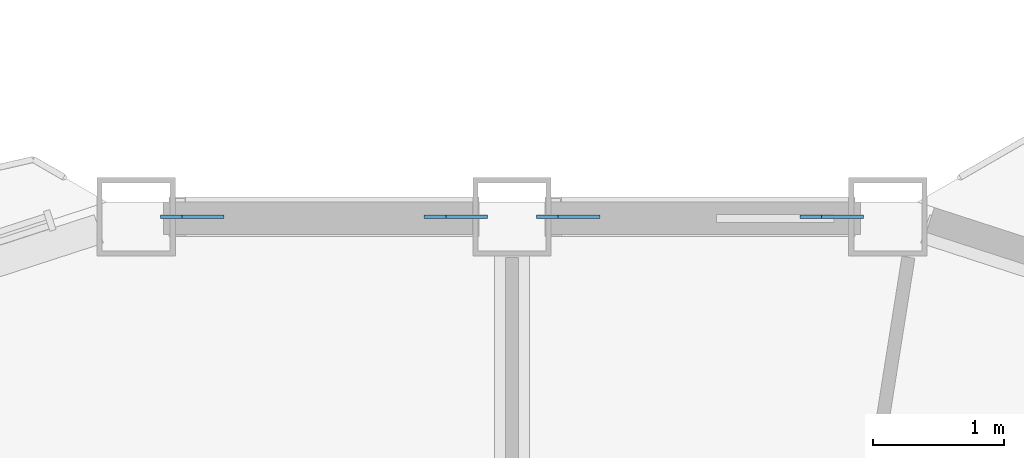
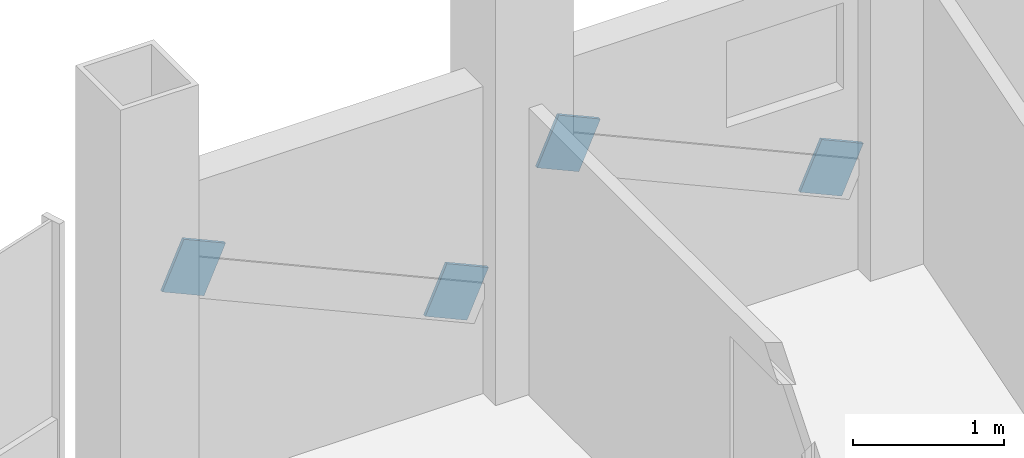
# One storey, part 22 of 27: 4 discrete accessories.
"""IFC4 building model written with IfcOpenShell, lengths in metres."""

from ifc_helpers import new_model, si_unit, direction, frame, origin, origin_2d, place, context, subcontext, project, spatial, rectangle, extrude, material, material_profile, profile_set, type_object, element, save


model = new_model("IFC4")

# Units and contexts
model_context = context("Model", 3, precision=1e-05, world=origin(), true_north=direction((0.0, 1.0)))
body_context = subcontext(model_context, "Body", "Model", "MODEL_VIEW")
ifc_project = project(units=[si_unit("LENGTHUNIT", "METRE"), si_unit("AREAUNIT", "SQUARE_METRE"), si_unit("VOLUMEUNIT", "CUBIC_METRE"), si_unit("PLANEANGLEUNIT", "RADIAN"), si_unit("MASSUNIT", "GRAM", prefix="KILO")], contexts=[model_context])

# Site, building, storey
site_placement = place(None, origin())
site = spatial("IfcSite", under=ifc_project, at=site_placement, CompositionType="ELEMENT")
building_placement = place(site_placement, origin())
building = spatial("IfcBuilding", under=site, at=building_placement, Name="Cormorant Prow Tower", CompositionType="ELEMENT")
storey_placement = place(building_placement, frame((0.0, 0.0, 332.39990234375)))
storey = spatial("IfcBuildingStorey", under=building, at=storey_placement, Name="L74", CompositionType="ELEMENT", Elevation=332.39990234375)

# Discrete accessories
ifc_material = material(Name="Structural steel ASTM A500 Gr C", Category="steel")
ifc_material_profile = material_profile(ifc_material, rectangle(XDim=0.02490234375, YDim=0.405029296875, at=origin_2d()), Name="Gusset plate 25x405")
ifc_profile_set = profile_set([ifc_material_profile], Name="Structural steel ASTM A500 Gr C")
discrete_accessory_type = type_object("IfcDiscreteAccessoryType", Name="Gusset plate 25x405", PredefinedType="BRACKET", material=ifc_profile_set)
for number, where, z_axis, x_axis, name in (
    (1, (2.28515625, 31.676025390625, 0.86376953125), (0.912599106234, 0.0, -0.408855562884), (0.0, 1.0, 0.0), "Gusset plate GP3 L74.N00.g0"),
    (2, (0.588623046875, 31.676025390625, 1.624267578125), (-0.912599106234, 0.0, 0.408855562884), (0.0, -1.0, 0.0), "Gusset plate GP3 L74.N00.g1"),
    (3, (-0.588623046875, 31.676025390625, 0.86376953125), (0.912599106234, 0.0, -0.408855562884), (0.0, 1.0, 0.0), "Gusset plate GP3 L74.N01.g0"),
    (4, (-2.28515625, 31.676025390625, 1.624267578125), (-0.912599106234, 0.0, 0.408855562884), (0.0, -1.0, 0.0), "Gusset plate GP3 L74.N01.g1"),
):
    element("IfcDiscreteAccessory", number, at=place(storey_placement, frame(where, z_axis=z_axis, x_axis=x_axis)), inside=storey, type_object=discrete_accessory_type, Name=name, PredefinedType="BRACKET", context=body_context, shape_type="SweptSolid", body=[
        extrude(rectangle(XDim=0.02490234375, YDim=0.405029296875, at=origin_2d()), origin(), (0.0, 0.0, 1.0), 0.349853515625),
    ])

save(model, "model.ifc")
